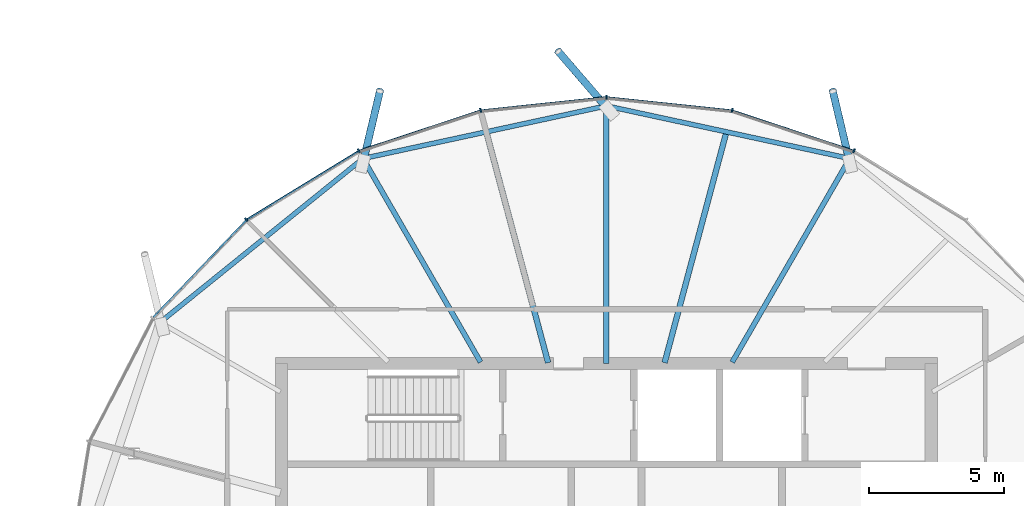
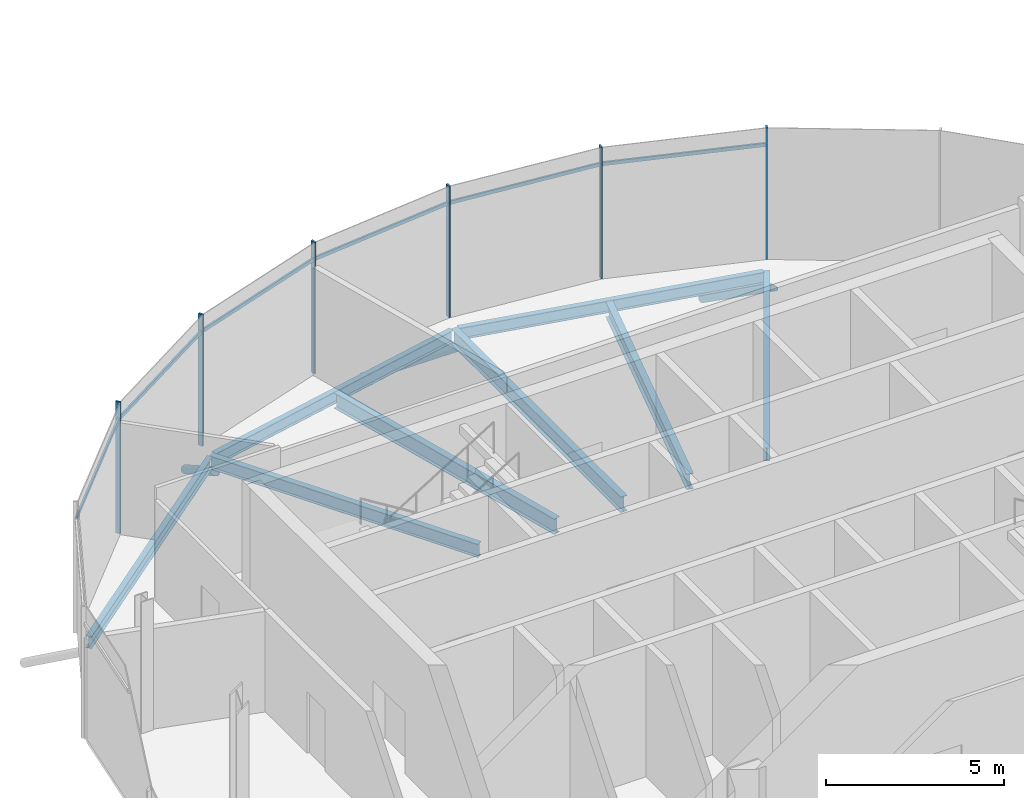
# One storey, part 7 of 31: 15 members, 8 beams, 1 element without a shape of its own.
"""IFC4 building model written with IfcOpenShell, lengths in metres."""

from ifc_helpers import new_model, si_unit, direction, frame, origin, origin_2d, place, context, subcontext, project, spatial, rectangle, hollow_circle, i_section, extrude, clip, halfspace, material, material_profile, profile_set, type_object, element, aggregate, save


model = new_model("IFC4")

# Units and contexts
model_context = context("Model", 3, precision=1e-05, world=origin(), true_north=direction((0.0, 1.0)))
body_context = subcontext(model_context, "Body", "Model", "MODEL_VIEW")
ifc_project = project(units=[si_unit("LENGTHUNIT", "METRE"), si_unit("AREAUNIT", "SQUARE_METRE"), si_unit("VOLUMEUNIT", "CUBIC_METRE"), si_unit("PLANEANGLEUNIT", "RADIAN"), si_unit("MASSUNIT", "GRAM", prefix="KILO")], contexts=[model_context])

# Site, building, storey
site_placement = place(None, origin())
site = spatial("IfcSite", under=ifc_project, at=site_placement, CompositionType="ELEMENT")
building_placement = place(site_placement, origin())
building = spatial("IfcBuilding", under=site, at=building_placement, Name="Rimbun Link Towers", CompositionType="ELEMENT")
storey_placement = place(building_placement, frame((0.0, 0.0, 263.10009765625)))
storey = spatial("IfcBuildingStorey", under=building, at=storey_placement, Name="L64", CompositionType="ELEMENT", Elevation=263.10009765625)

# Curtain wall, members
ifc_material_1 = material(Name="Aluminium 6063-T6 and low-iron glass", Category="aluminium")
curtain_wall_type = type_object("IfcCurtainWallType", Name="CW5 full height lobby wall", PredefinedType="NOTDEFINED", material=ifc_material_1)
curtain_wall_placement = place(storey_placement, origin())
curtain_wall = element("IfcCurtainWall", 1, at=curtain_wall_placement, inside=storey, type_object=curtain_wall_type, Name="CW5 L64 T1", PredefinedType="NOTDEFINED")
ifc_material_2 = material(Name="Aluminium 6063-T6", Category="aluminium")
ifc_material_profile_1 = material_profile(ifc_material_2, rectangle(XDim=0.14990234375, YDim=0.06005859375, at=origin_2d()), Name="MULLION 60X150")
ifc_profile_set_1 = profile_set([ifc_material_profile_1], Name="Aluminium 6063-T6")
member_type_1 = type_object("IfcMemberType", Name="CW5 mullion 60X150", PredefinedType="MULLION", material=ifc_profile_set_1)
member_1_placement = place(storey_placement, frame((-22.60205078125, 15.85791015625, 0.0), z_axis=(0.0, 0.0, 1.0), x_axis=(0.421703725723, 0.906733680698, 0.0)))
member_1 = element("IfcMember", 2, at=member_1_placement, type_object=member_type_1, Name="CW5 mullion", PredefinedType="MULLION", context=body_context, shape_type="SweptSolid", body=[
    extrude(rectangle(XDim=0.14990234375, YDim=0.06005859375, at=origin_2d()), origin(), (0.0, 0.0, 1.0), 4.5),
])
member_2_placement = place(storey_placement, frame((-27.10498046875, 17.35009765625, 0.0), z_axis=(0.0, 0.0, 1.0), x_axis=(0.210861265899, 0.977515998101, 0.0)))
member_2 = element("IfcMember", 3, at=member_2_placement, type_object=member_type_1, Name="CW5 mullion", PredefinedType="MULLION", context=body_context, shape_type="SweptSolid", body=[
    extrude(rectangle(XDim=0.14990234375, YDim=0.06005859375, at=origin_2d()), origin(), (0.0, 0.0, 1.0), 4.5),
])
member_3_placement = place(storey_placement, frame((-31.75, 17.83935546875, 0.0), z_axis=(0.0, 0.0, 1.0), x_axis=(0.0, 1.0, 0.0)))
member_3 = element("IfcMember", 4, at=member_3_placement, type_object=member_type_1, Name="CW5 mullion", PredefinedType="MULLION", context=body_context, shape_type="SweptSolid", body=[
    extrude(rectangle(XDim=0.14990234375, YDim=0.06005859375, at=origin_2d()), origin(), (0.0, 0.0, 1.0), 4.5),
])
member_4_placement = place(storey_placement, frame((-36.39501953125, 17.35009765625, 0.0), z_axis=(0.0, 0.0, 1.0), x_axis=(-0.210861265899, 0.977515998101, 0.0)))
member_4 = element("IfcMember", 5, at=member_4_placement, type_object=member_type_1, Name="CW5 mullion", PredefinedType="MULLION", context=body_context, shape_type="SweptSolid", body=[
    extrude(rectangle(XDim=0.14990234375, YDim=0.06005859375, at=origin_2d()), origin(), (0.0, 0.0, 1.0), 4.5),
])
member_5_placement = place(storey_placement, frame((-40.89794921875, 15.85791015625, 0.0), z_axis=(0.0, 0.0, 1.0), x_axis=(-0.421703725723, 0.906733680698, 0.0)))
member_5 = element("IfcMember", 6, at=member_5_placement, type_object=member_type_1, Name="CW5 mullion", PredefinedType="MULLION", context=body_context, shape_type="SweptSolid", body=[
    extrude(rectangle(XDim=0.14990234375, YDim=0.06005859375, at=origin_2d()), origin(), (0.0, 0.0, 1.0), 4.5),
])
member_6_placement = place(storey_placement, frame((-45.048095703125, 13.3095703125, 0.0), z_axis=(0.0, 0.0, 1.0), x_axis=(-0.627673907334, 0.778476374755, 0.0)))
member_6 = element("IfcMember", 7, at=member_6_placement, type_object=member_type_1, Name="CW5 mullion", PredefinedType="MULLION", context=body_context, shape_type="SweptSolid", body=[
    extrude(rectangle(XDim=0.14990234375, YDim=0.06005859375, at=origin_2d()), origin(), (0.0, 0.0, 1.0), 4.5),
])
ifc_material_3 = material(Name="Aluminium 6063-T6", Category="aluminium")
ifc_material_profile_2 = material_profile(ifc_material_3, rectangle(XDim=0.06005859375, YDim=0.1201171875, at=origin_2d()), Name="TRANSOM 60X120")
ifc_profile_set_2 = profile_set([ifc_material_profile_2], Name="Aluminium 6063-T6")
member_type_2 = type_object("IfcMemberType", Name="CW5 transom 60X120", PredefinedType="USERDEFINED", material=ifc_profile_set_2)
member_7_placement = place(storey_placement, frame((-27.07275390625, 17.326171875, 3.89990234375), z_axis=(0.94924154326, -0.31454807669, 0.0), x_axis=(0.31454807669, 0.94924154326, 0.0)))
member_7 = element("IfcMember", 8, at=member_7_placement, type_object=member_type_2, Name="CW5 transom", ObjectType="TRANSOM", PredefinedType="USERDEFINED", context=body_context, shape_type="SweptSolid", body=[
    extrude(rectangle(XDim=0.06005859375, YDim=0.1201171875, at=origin_2d()), origin(), (0.0, 0.0, 1.0), 4.6669921875),
])
member_8_placement = place(storey_placement, frame((-31.713623046875, 17.82275390625, 3.89990234375), z_axis=(0.994501084913, -0.104726272285, 0.0), x_axis=(0.104726272285, 0.994501084913, 0.0)))
member_8 = element("IfcMember", 9, at=member_8_placement, type_object=member_type_2, Name="CW5 transom", ObjectType="TRANSOM", PredefinedType="USERDEFINED", context=body_context, shape_type="SweptSolid", body=[
    extrude(rectangle(XDim=0.06005859375, YDim=0.1201171875, at=origin_2d()), origin(), (0.0, 0.0, 1.0), 4.5947265625),
])
member_9_placement = place(storey_placement, frame((-36.35595703125, 17.341552734375, 3.89990234375), z_axis=(0.994501084913, 0.104726272285, 0.0), x_axis=(-0.104726272285, 0.994501084913, 0.0)))
member_9 = element("IfcMember", 10, at=member_9_placement, type_object=member_type_2, Name="CW5 transom", ObjectType="TRANSOM", PredefinedType="USERDEFINED", context=body_context, shape_type="SweptSolid", body=[
    extrude(rectangle(XDim=0.06005859375, YDim=0.1201171875, at=origin_2d()), origin(), (0.0, 0.0, 1.0), 4.5947265625),
])
member_10_placement = place(storey_placement, frame((-40.857421875, 15.858154296875, 3.89990234375), z_axis=(0.94924154326, 0.31454807669, 0.0), x_axis=(-0.31454807669, 0.94924154326, 0.0)))
member_10 = element("IfcMember", 11, at=member_10_placement, type_object=member_type_2, Name="CW5 transom", ObjectType="TRANSOM", PredefinedType="USERDEFINED", context=body_context, shape_type="SweptSolid", body=[
    extrude(rectangle(XDim=0.06005859375, YDim=0.1201171875, at=origin_2d()), origin(), (0.0, 0.0, 1.0), 4.6669921875),
])
member_11_placement = place(storey_placement, frame((-45.008056640625, 13.319580078125, 3.89990234375), z_axis=(0.852170428622, 0.523264331463, 0.0), x_axis=(-0.523264331463, 0.852170428622, 0.0)))
member_11 = element("IfcMember", 12, at=member_11_placement, type_object=member_type_2, Name="CW5 transom", ObjectType="TRANSOM", PredefinedType="USERDEFINED", context=body_context, shape_type="SweptSolid", body=[
    extrude(rectangle(XDim=0.06005859375, YDim=0.1201171875, at=origin_2d()), origin(), (0.0, 0.0, 1.0), 4.792236328125),
])
member_12_placement = place(storey_placement, frame((-48.4814453125, 9.71044921875, 3.89990234375), z_axis=(0.692032156482, 0.721866673559, 0.0), x_axis=(-0.721866673559, 0.692032156482, 0.0)))
member_12 = element("IfcMember", 13, at=member_12_placement, type_object=member_type_2, Name="CW5 transom", ObjectType="TRANSOM", PredefinedType="USERDEFINED", context=body_context, shape_type="SweptSolid", body=[
    extrude(rectangle(XDim=0.06005859375, YDim=0.1201171875, at=origin_2d()), origin(), (0.0, 0.0, 1.0), 4.934326171875),
])
aggregate(curtain_wall, [member_1, member_2, member_3, member_4, member_5, member_6, member_7, member_8, member_9, member_10, member_11, member_12])

# Members
ifc_material_4 = material(Name="Steel S355J2H", Category="steel")
ifc_material_profile_3 = material_profile(ifc_material_4, hollow_circle(Radius=0.136474609375, WallThickness=0.012451171875, at=origin_2d()), Name="CHS 273x12.5")
ifc_profile_set_3 = profile_set([ifc_material_profile_3], Name="Steel S355J2H")
member_type_3 = type_object("IfcMemberType", Name="Floor edge link CHS 273x12.5", PredefinedType="BRACE", material=ifc_profile_set_3)
member_13_placement = place(storey_placement, frame((-22.786376953125, 15.525390625, -0.748046875), z_axis=(-0.193592249074, 0.817086900133, -0.543038708316), x_axis=(-0.973061143771, -0.230547197953, 0.0)))
element("IfcMember", 14, at=member_13_placement, inside=storey, type_object=member_type_3, Name="Floor edge link T1 L64 04", PredefinedType="BRACE", context=body_context, shape_type="Clipping", body=[
    clip(extrude(hollow_circle(Radius=0.136474609375, WallThickness=0.012451171875, at=origin_2d()), frame((0.0, 0.0, -0.4404296875)), (0.0, 0.0, 1.0), 3.578125), halfspace(frame((0.0, 0.0, -0.207275390625), z_axis=(0.0, 0.839707664173, -0.543038708316)), False)),
])
member_14_placement = place(storey_placement, frame((-31.75, 17.462890625, -0.829833984375), z_axis=(-0.558053301231, 0.64767268507, -0.518745222629), x_axis=(-0.757574926273, -0.652748214155, 0.0)))
element("IfcMember", 15, at=member_14_placement, inside=storey, type_object=member_type_3, Name="Floor edge link T1 L64 06", PredefinedType="BRACE", context=body_context, shape_type="Clipping", body=[
    clip(extrude(hollow_circle(Radius=0.136474609375, WallThickness=0.012451171875, at=origin_2d()), frame((0.0, 0.0, -0.46923828125)), (0.0, 0.0, 1.0), 3.6865234375), halfspace(frame((0.0, 0.0, -0.220947265625), z_axis=(0.0, 0.854928882422, -0.518745222629)), False)),
])
member_15_placement = place(storey_placement, frame((-40.713623046875, 15.525390625, -0.748046875), z_axis=(0.193592249074, 0.817086900133, -0.543038708316), x_axis=(-0.973061143771, 0.230547197953, 0.0)))
element("IfcMember", 16, at=member_15_placement, inside=storey, type_object=member_type_3, Name="Floor edge link T1 L64 08", PredefinedType="BRACE", context=body_context, shape_type="Clipping", body=[
    clip(extrude(hollow_circle(Radius=0.136474609375, WallThickness=0.012451171875, at=origin_2d()), frame((0.0, 0.0, -0.4404296875)), (0.0, 0.0, 1.0), 3.578125), halfspace(frame((0.0, 0.0, -0.207275390625), z_axis=(0.0, 0.839707664173, -0.543038708316)), False)),
])

# Beams
ifc_material_5 = material(Name="Steel S355J2", Category="steel")
ifc_material_profile_4 = material_profile(ifc_material_5, i_section(OverallWidth=0.177978515625, OverallDepth=0.406494140625, WebThickness=0.0078125, FlangeThickness=0.0126953125, at=origin_2d()), Name="UB 406x178x60")
ifc_profile_set_4 = profile_set([ifc_material_profile_4], Name="Steel S355J2")
beam_type_1 = type_object("IfcBeamType", Name="UB 406x178x60", PredefinedType="BEAM", material=ifc_profile_set_4)
for number, where, z_axis, x_axis, name in (
    (17, (-22.85986328125, 15.590087890625, -0.38330078125), (-0.977401121649, 0.21139311105, 0.0), (-0.21139311105, -0.977401121649, 0.0), "Edge beam T1 L64 04-06"),
    (18, (-31.855712890625, 17.489990234375, -0.38330078125), (-0.977401121649, -0.21139311105, 0.0), (0.21139311105, -0.977401121649, 0.0), "Edge beam T1 L64 06-08"),
):
    element("IfcBeam", number, at=place(storey_placement, frame(where, z_axis=z_axis, x_axis=x_axis)), inside=storey, type_object=beam_type_1, Name=name, PredefinedType="BEAM", context=body_context, shape_type="SweptSolid", body=[
        extrude(i_section(OverallWidth=0.177978515625, OverallDepth=0.406494140625, WebThickness=0.0078125, FlangeThickness=0.0126953125, at=origin_2d()), origin(), (0.0, 0.0, 1.0), 8.987548828125),
    ])
beam_1_placement = place(storey_placement, frame((-40.814208984375, 15.5078125, -0.38330078125), z_axis=(-0.778080116304, -0.628165052046, 0.0), x_axis=(0.628165052046, -0.778080116304, 0.0)))
element("IfcBeam", 19, at=beam_1_placement, inside=storey, type_object=beam_type_1, Name="Edge beam T1 L64 08-10", PredefinedType="BEAM", context=body_context, shape_type="SweptSolid", body=[
    extrude(i_section(OverallWidth=0.177978515625, OverallDepth=0.406494140625, WebThickness=0.0078125, FlangeThickness=0.0126953125, at=origin_2d()), origin(), (0.0, 0.0, 1.0), 9.447021484375),
])
ifc_material_6 = material(Name="Steel S355J2", Category="steel")
ifc_material_profile_5 = material_profile(ifc_material_6, i_section(OverallWidth=0.18994140625, OverallDepth=0.453369140625, WebThickness=0.008544921875, FlangeThickness=0.0126953125, at=origin_2d()), Name="UB 457x191x67")
ifc_profile_set_5 = profile_set([ifc_material_profile_5], Name="Steel S355J2")
beam_type_2 = type_object("IfcBeamType", Name="UB 457x191x67", PredefinedType="BEAM", material=ifc_profile_set_5)
for number, where, z_axis, x_axis, name in (
    (20, (-27.103271484375, 8.04833984375, -0.40673828125), (0.500006374285, 0.866021723558, 0.0), (-0.866021723558, 0.500006374285, 0.0), "Radial beam T1 L64 04"),
    (21, (-36.396728515625, 8.04833984375, -0.40673828125), (-0.500006374285, 0.866021723558, 0.0), (-0.866021723558, -0.500006374285, 0.0), "Radial beam T1 L64 08"),
):
    element("IfcBeam", number, at=place(storey_placement, frame(where, z_axis=z_axis, x_axis=x_axis)), inside=storey, type_object=beam_type_2, Name=name, PredefinedType="BEAM", context=body_context, shape_type="SweptSolid", body=[
        extrude(i_section(OverallWidth=0.18994140625, OverallDepth=0.453369140625, WebThickness=0.008544921875, FlangeThickness=0.0126953125, at=origin_2d()), origin(), (0.0, 0.0, 1.0), 8.68408203125),
    ])
ifc_material_7 = material(Name="Steel S355J2", Category="steel")
ifc_material_profile_6 = material_profile(ifc_material_7, i_section(OverallWidth=0.209228515625, OverallDepth=0.533203125, WebThickness=0.010009765625, FlangeThickness=0.015625, at=origin_2d()), Name="UB 533x210x92")
ifc_profile_set_6 = profile_set([ifc_material_profile_6], Name="Steel S355J2")
beam_type_3 = type_object("IfcBeamType", Name="UB 533x210x92", PredefinedType="BEAM", material=ifc_profile_set_6)
beam_2_placement = place(storey_placement, frame((-29.598876953125, 8.028076171875, -0.446533203125), z_axis=(0.258808722703, 0.965928592108, 0.0), x_axis=(-0.965928592108, 0.258808722703, 0.0)))
element("IfcBeam", 22, at=beam_2_placement, inside=storey, type_object=beam_type_3, Name="Radial beam T1 L64 05", PredefinedType="BEAM", context=body_context, shape_type="SweptSolid", body=[
    extrude(i_section(OverallWidth=0.209228515625, OverallDepth=0.533203125, WebThickness=0.010009765625, FlangeThickness=0.015625, at=origin_2d()), origin(), (0.0, 0.0, 1.0), 8.736083984375),
])
beam_3_placement = place(storey_placement, frame((-31.75, 8.0009765625, -0.446533203125), z_axis=(0.0, 1.0, 0.0), x_axis=(-1.0, 0.0, 0.0)))
element("IfcBeam", 23, at=beam_3_placement, inside=storey, type_object=beam_type_3, Name="Radial beam T1 L64 06", PredefinedType="BEAM", context=body_context, shape_type="SweptSolid", body=[
    extrude(i_section(OverallWidth=0.209228515625, OverallDepth=0.533203125, WebThickness=0.010009765625, FlangeThickness=0.015625, at=origin_2d()), origin(), (0.0, 0.0, 1.0), 9.511962890625),
])
beam_4_placement = place(storey_placement, frame((-33.901123046875, 8.028076171875, -0.446533203125), z_axis=(-0.258808722703, 0.965928592108, 0.0), x_axis=(-0.965928592108, -0.258808722703, 0.0)))
element("IfcBeam", 24, at=beam_4_placement, inside=storey, type_object=beam_type_3, Name="Radial beam T1 L64 07", PredefinedType="BEAM", context=body_context, shape_type="SweptSolid", body=[
    extrude(i_section(OverallWidth=0.209228515625, OverallDepth=0.533203125, WebThickness=0.010009765625, FlangeThickness=0.015625, at=origin_2d()), origin(), (0.0, 0.0, 1.0), 8.736083984375),
])

save(model, "model.ifc")
